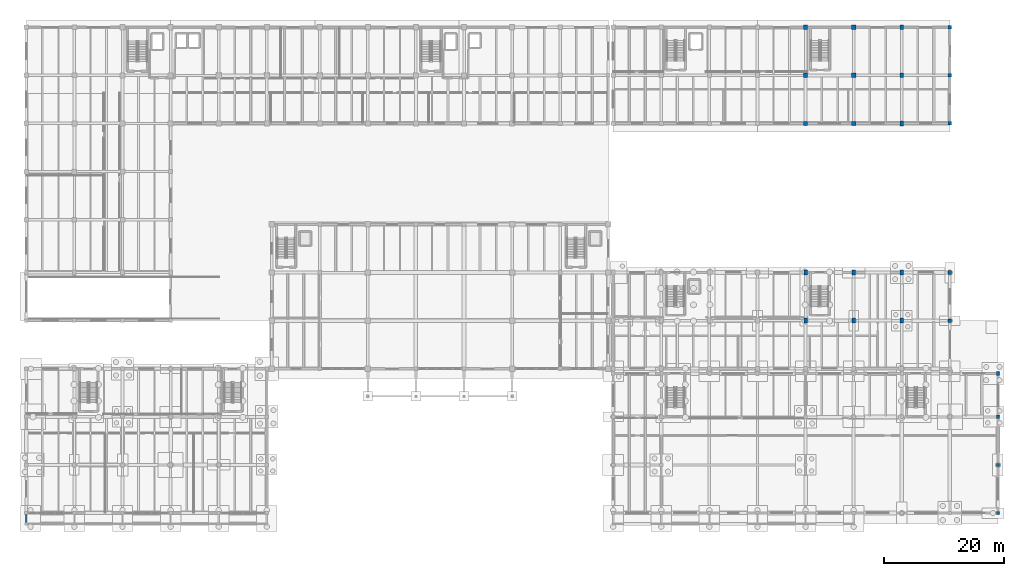
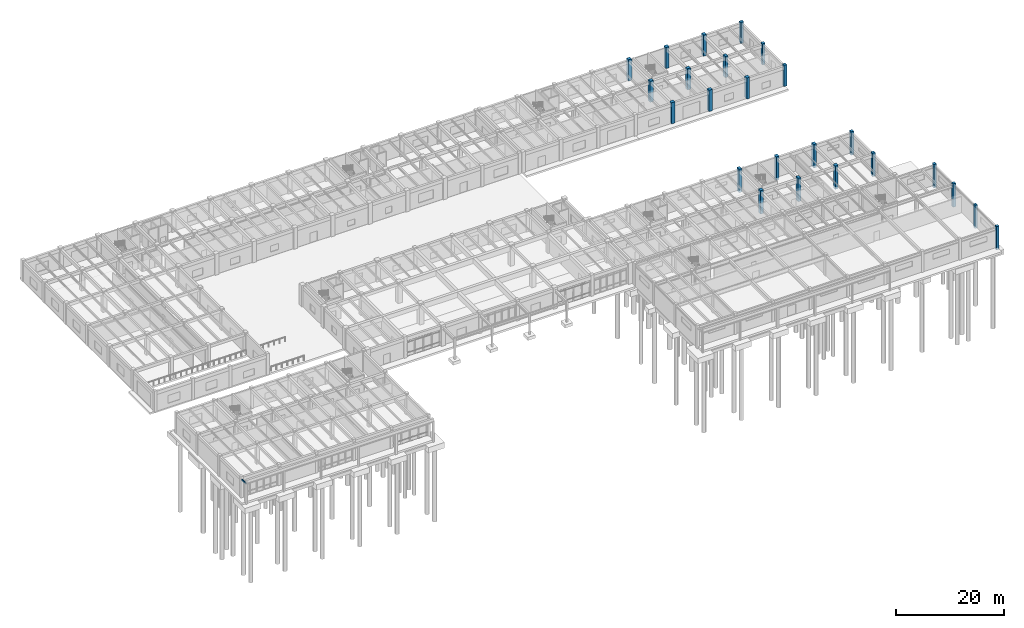
# One storey, part 12 of 64: 24 columns, 1 beam.
"""IFC4 building model written with IfcOpenShell, lengths in metres."""

from ifc_helpers import new_model, si_unit, direction, frame, origin, origin_2d, place, context, subcontext, project, spatial, rectangle, hollow_rectangle, extrude, material, material_profile, profile_set, type_object, element, save


model = new_model("IFC4")

# Units and contexts
model_context = context("Model", 3, precision=1e-05, world=origin(), true_north=direction((0.0, 1.0)))
body_context = subcontext(model_context, "Body", "Model", "MODEL_VIEW")
ifc_project = project(units=[si_unit("LENGTHUNIT", "METRE"), si_unit("AREAUNIT", "SQUARE_METRE"), si_unit("VOLUMEUNIT", "CUBIC_METRE"), si_unit("PLANEANGLEUNIT", "RADIAN"), si_unit("MASSUNIT", "GRAM", prefix="KILO")], contexts=[model_context])

# Site, building, storey
site_placement = place(None, origin())
site = spatial("IfcSite", under=ifc_project, at=site_placement, CompositionType="ELEMENT")
building_placement = place(site_placement, origin())
building = spatial("IfcBuilding", under=site, at=building_placement, Name="Tlaxcora Railside Police Headquarters", CompositionType="ELEMENT")
storey_placement = place(building_placement, origin())
storey = spatial("IfcBuildingStorey", under=building, at=storey_placement, Name="L00", CompositionType="ELEMENT", Elevation=0.0)

# Columns
ifc_material_1 = material(Name="Concrete C40/50", Category="concrete")
ifc_material_profile_1 = material_profile(ifc_material_1, rectangle(XDim=0.5, YDim=0.64990234375, at=origin_2d()), Name="RC500X650")
ifc_profile_set_1 = profile_set([ifc_material_profile_1], Name="Concrete C40/50")
column_type_1 = type_object("IfcColumnType", Name="Structural Column CL-28", PredefinedType="COLUMN", material=ifc_profile_set_1)
column_placement = place(storey_placement, frame((166.800048828125, 35.199951171875, -0.5), z_axis=(0.0, 0.0, 1.0), x_axis=(1.0, 0.0, 0.0)))
element("IfcColumn", 1, at=column_placement, inside=storey, type_object=column_type_1, Name="L00 column (166.8, 35.2)", PredefinedType="COLUMN", context=body_context, shape_type="SweptSolid", body=[
    extrude(rectangle(XDim=0.5, YDim=0.64990234375, at=origin_2d()), origin(), (0.0, 0.0, 1.0), 5.300048828125),
])
ifc_material_profile_2 = material_profile(ifc_material_1, rectangle(XDim=0.699951171875, YDim=0.699951171875, at=origin_2d()), Name="RC700X700")
ifc_profile_set_2 = profile_set([ifc_material_profile_2], Name="Concrete C40/50")
column_type_2 = type_object("IfcColumnType", Name="Structural Column CL-43", PredefinedType="COLUMN", material=ifc_profile_set_2)
for number, where, z_axis, x_axis, name in (
    (2, (134.800048828125, 76.800048828125, 0.0), (0.0, 0.0, 1.0), (1.0, 0.0, 0.0), "L00 column (134.8, 76.8)"),
    (3, (134.800048828125, 84.800048828125, 0.0), (0.0, 0.0, 1.0), (1.0, 0.0, 0.0), "L00 column (134.8, 84.8)"),
    (4, (134.800048828125, 92.800048828125, 0.0), (0.0, 0.0, 1.0), (1.0, 0.0, 0.0), "L00 column (134.8, 92.8)"),
    (5, (142.800048828125, 76.800048828125, 0.0), (0.0, 0.0, 1.0), (1.0, 0.0, 0.0), "L00 column (142.8, 76.8)"),
    (6, (142.800048828125, 84.800048828125, 0.0), (0.0, 0.0, 1.0), (1.0, 0.0, 0.0), "L00 column (142.8, 84.8)"),
    (7, (142.800048828125, 92.800048828125, 0.0), (0.0, 0.0, 1.0), (1.0, 0.0, 0.0), "L00 column (142.8, 92.8)"),
):
    element("IfcColumn", number, at=place(storey_placement, frame(where, z_axis=z_axis, x_axis=x_axis)), inside=storey, type_object=column_type_2, Name=name, PredefinedType="COLUMN", context=body_context, shape_type="SweptSolid", body=[
        extrude(rectangle(XDim=0.699951171875, YDim=0.699951171875, at=origin_2d()), origin(), (0.0, 0.0, 1.0), 4.800048828125),
    ])
ifc_material_profile_3 = material_profile(ifc_material_1, rectangle(XDim=0.60009765625, YDim=0.60009765625, at=origin_2d()), Name="RC600X600")
ifc_profile_set_3 = profile_set([ifc_material_profile_3], Name="Concrete C40/50")
column_type_3 = type_object("IfcColumnType", Name="Structural Column CL-53", PredefinedType="COLUMN", material=ifc_profile_set_3)
for number, where, z_axis, x_axis, name in (
    (8, (158.800048828125, 44.0, -0.5), (0.0, 0.0, 1.0), (1.0, 0.0, 0.0), "L00 column (158.8, 44.0)"),
    (9, (158.800048828125, 52.0, -0.5), (0.0, 0.0, 1.0), (1.0, 0.0, 0.0), "L00 column (158.8, 52.0)"),
):
    element("IfcColumn", number, at=place(storey_placement, frame(where, z_axis=z_axis, x_axis=x_axis)), inside=storey, type_object=column_type_3, Name=name, PredefinedType="COLUMN", context=body_context, shape_type="SweptSolid", body=[
        extrude(rectangle(XDim=0.60009765625, YDim=0.60009765625, at=origin_2d()), origin(), (0.0, 0.0, 1.0), 5.300048828125),
    ])
for number, where, z_axis, x_axis, name in (
    (10, (158.800048828125, 76.800048828125, 0.0), (0.0, 0.0, 1.0), (1.0, 0.0, 0.0), "L00 column (158.8, 76.8)"),
    (11, (158.800048828125, 84.800048828125, 0.0), (0.0, 0.0, 1.0), (1.0, 0.0, 0.0), "L00 column (158.8, 84.8)"),
    (12, (158.800048828125, 92.800048828125, 0.0), (0.0, 0.0, 1.0), (1.0, 0.0, 0.0), "L00 column (158.8, 92.8)"),
):
    element("IfcColumn", number, at=place(storey_placement, frame(where, z_axis=z_axis, x_axis=x_axis)), inside=storey, type_object=column_type_3, Name=name, PredefinedType="COLUMN", context=body_context, shape_type="SweptSolid", body=[
        extrude(rectangle(XDim=0.60009765625, YDim=0.60009765625, at=origin_2d()), origin(), (0.0, 0.0, 1.0), 4.800048828125),
    ])
ifc_material_profile_4 = material_profile(ifc_material_1, rectangle(XDim=0.550048828125, YDim=0.550048828125, at=origin_2d()), Name="RC550X550")
ifc_profile_set_4 = profile_set([ifc_material_profile_4], Name="Concrete C40/50")
column_type_4 = type_object("IfcColumnType", Name="Structural Column CL-83", PredefinedType="COLUMN", material=ifc_profile_set_4)
for number, where, z_axis, x_axis, name in (
    (13, (166.800048828125, 12.0, -0.5), (0.0, 0.0, 1.0), (1.0, 0.0, 0.0), "L00 column (166.8, 12.0)"),
    (14, (166.800048828125, 20.0, -0.5), (0.0, 0.0, 1.0), (1.0, 0.0, 0.0), "L00 column (166.8, 20.0)"),
    (15, (166.800048828125, 28.0, -0.5), (0.0, 0.0, 1.0), (1.0, 0.0, 0.0), "L00 column (166.8, 28.0)"),
):
    element("IfcColumn", number, at=place(storey_placement, frame(where, z_axis=z_axis, x_axis=x_axis)), inside=storey, type_object=column_type_4, Name=name, PredefinedType="COLUMN", context=body_context, shape_type="SweptSolid", body=[
        extrude(rectangle(XDim=0.550048828125, YDim=0.550048828125, at=origin_2d()), origin(), (0.0, 0.0, 1.0), 5.300048828125),
    ])
ifc_material_profile_5 = material_profile(ifc_material_1, rectangle(XDim=0.60009765625, YDim=0.800048828125, at=origin_2d()), Name="RC600X800")
ifc_profile_set_5 = profile_set([ifc_material_profile_5], Name="Concrete C40/50")
column_type_5 = type_object("IfcColumnType", Name="Structural Column CL-90", PredefinedType="COLUMN", material=ifc_profile_set_5)
for number, where, z_axis, x_axis, name in (
    (16, (134.800048828125, 44.0, -0.5), (0.0, 0.0, 1.0), (1.0, 0.0, 0.0), "L00 column (134.8, 44.0)"),
    (17, (134.800048828125, 52.0, -0.5), (0.0, 0.0, 1.0), (1.0, 0.0, 0.0), "L00 column (134.8, 52.0)"),
    (18, (142.800048828125, 44.0, -0.5), (0.0, 0.0, 1.0), (1.0, 0.0, 0.0), "L00 column (142.8, 44.0)"),
    (19, (142.800048828125, 52.0, -0.5), (0.0, 0.0, 1.0), (1.0, 0.0, 0.0), "L00 column (142.8, 52.0)"),
    (20, (150.800048828125, 44.0, -0.5), (0.0, 0.0, 1.0), (1.0, 0.0, 0.0), "L00 column (150.8, 44.0)"),
    (21, (150.800048828125, 52.0, -0.5), (0.0, 0.0, 1.0), (1.0, 0.0, 0.0), "L00 column (150.8, 52.0)"),
):
    element("IfcColumn", number, at=place(storey_placement, frame(where, z_axis=z_axis, x_axis=x_axis)), inside=storey, type_object=column_type_5, Name=name, PredefinedType="COLUMN", context=body_context, shape_type="SweptSolid", body=[
        extrude(rectangle(XDim=0.60009765625, YDim=0.800048828125, at=origin_2d()), origin(), (0.0, 0.0, 1.0), 5.300048828125),
    ])
for number, where, z_axis, x_axis, name in (
    (22, (150.800048828125, 76.800048828125, 0.0), (0.0, 0.0, 1.0), (1.0, 0.0, 0.0), "L00 column (150.8, 76.8)"),
    (23, (150.800048828125, 84.800048828125, 0.0), (0.0, 0.0, 1.0), (1.0, 0.0, 0.0), "L00 column (150.8, 84.8)"),
    (24, (150.800048828125, 92.800048828125, 0.0), (0.0, 0.0, 1.0), (1.0, 0.0, 0.0), "L00 column (150.8, 92.8)"),
):
    element("IfcColumn", number, at=place(storey_placement, frame(where, z_axis=z_axis, x_axis=x_axis)), inside=storey, type_object=column_type_5, Name=name, PredefinedType="COLUMN", context=body_context, shape_type="SweptSolid", body=[
        extrude(rectangle(XDim=0.60009765625, YDim=0.800048828125, at=origin_2d()), origin(), (0.0, 0.0, 1.0), 4.800048828125),
    ])

# Beam
ifc_material_2 = material(Name="Steel ASTM A992 Grade 50", Category="steel")
ifc_material_profile_6 = material_profile(ifc_material_2, hollow_rectangle(XDim=0.199951171875, YDim=0.300048828125, WallThickness=0.010009765625, at=origin_2d()), Name="HSS300X200X10")
ifc_profile_set_6 = profile_set([ifc_material_profile_6], Name="Steel ASTM A992 Grade 50")
beam_type = type_object("IfcBeamType", Name="Opening Lintel Beam BM-74", PredefinedType="LINTEL", material=ifc_profile_set_6)
beam_placement = place(storey_placement, frame((5.199951171875, 10.199951171875, 4.10009765625), z_axis=(0.0, 1.0, 0.0), x_axis=(-1.0, 0.0, 0.0)))
element("IfcBeam", 25, at=beam_placement, inside=storey, type_object=beam_type, Name="Forecourt loggia tie beam X=5.2", PredefinedType="LINTEL", context=body_context, shape_type="SweptSolid", body=[
    extrude(hollow_rectangle(XDim=0.199951171875, YDim=0.300048828125, WallThickness=0.010009765625, at=origin_2d()), origin(), (0.0, 0.0, 1.0), 1.550048828125),
])

save(model, "model.ifc")
